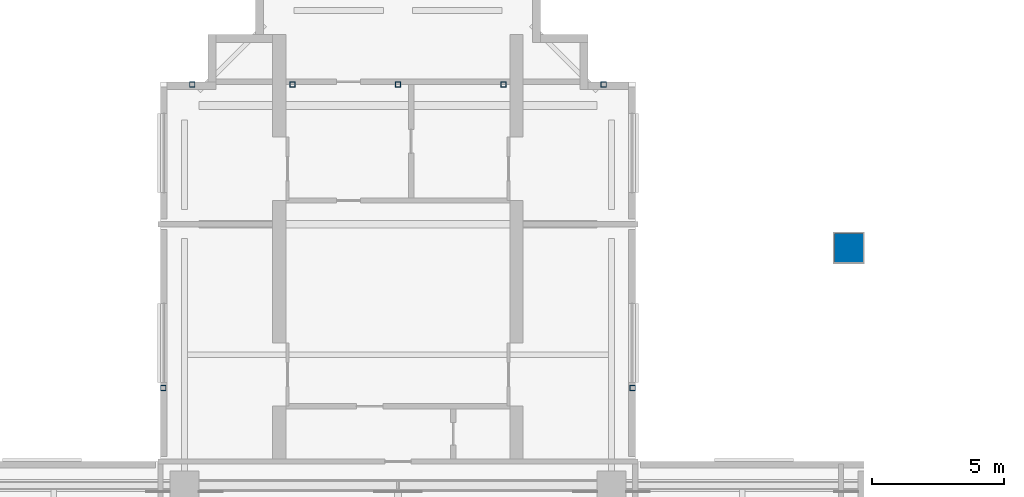
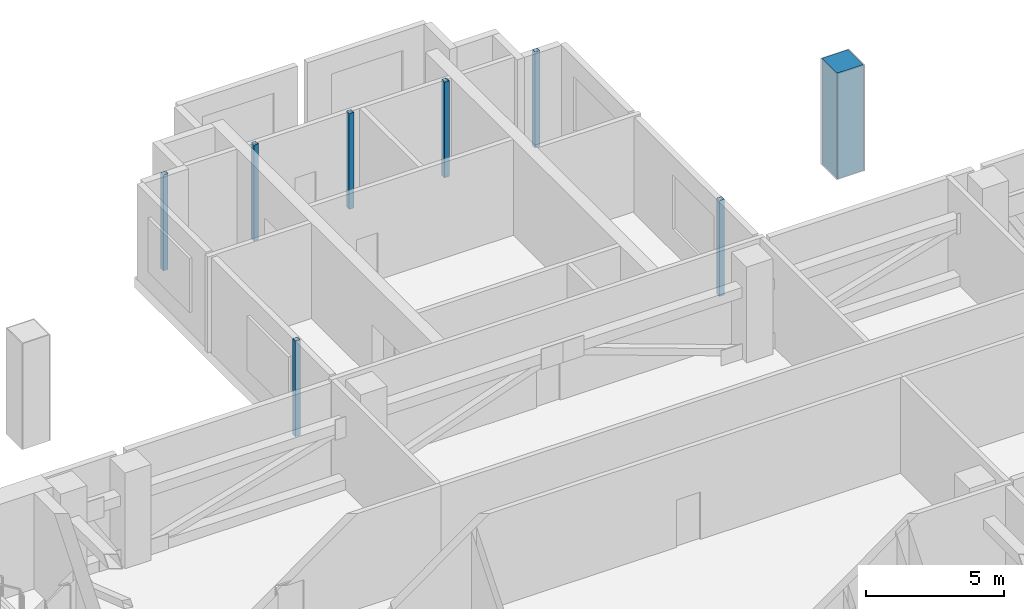
# One storey, part 2 of 11: 8 columns.
"""IFC4 building model written with IfcOpenShell, lengths in metres."""

from ifc_helpers import new_model, si_unit, direction, frame, origin, origin_2d, place, context, subcontext, project, spatial, rectangle, hollow_rectangle, extrude, material, material_profile, profile_set, type_object, element, save


model = new_model("IFC4")

# Units and contexts
model_context = context("Model", 3, precision=1e-05, world=origin(), true_north=direction((0.0, 1.0)))
body_context = subcontext(model_context, "Body", "Model", "MODEL_VIEW")
ifc_project = project(units=[si_unit("LENGTHUNIT", "METRE"), si_unit("AREAUNIT", "SQUARE_METRE"), si_unit("VOLUMEUNIT", "CUBIC_METRE"), si_unit("PLANEANGLEUNIT", "RADIAN"), si_unit("MASSUNIT", "GRAM", prefix="KILO")], contexts=[model_context])

# Site, building, storey
site_placement = place(None, origin())
site = spatial("IfcSite", under=ifc_project, at=site_placement, CompositionType="ELEMENT")
building_placement = place(site_placement, origin())
building = spatial("IfcBuilding", under=site, at=building_placement, Name="Perihelion Cross Residences", CompositionType="ELEMENT")
storey_placement = place(building_placement, frame((0.0, 0.0, 162.10009765625)))
storey = spatial("IfcBuildingStorey", under=building, at=storey_placement, Name="L39", CompositionType="ELEMENT", Elevation=162.10009765625)

# Columns
ifc_material_1 = material(Name="Steel S355", Category="steel")
ifc_material_profile_1 = material_profile(ifc_material_1, hollow_rectangle(XDim=0.202880859375, YDim=0.202880859375, WallThickness=0.009521484375, at=origin_2d()), Name="HSS203.2x203.2x9.5")
ifc_profile_set_1 = profile_set([ifc_material_profile_1], Name="Steel S355")
column_type_1 = type_object("IfcColumnType", Name="Canopy post HSS203.2x203.2x9.5", PredefinedType="COLUMN", material=ifc_profile_set_1)
for number, where, z_axis, x_axis, name in (
    (1, (-7.800048828125, 23.300048828125, 0.0), (0.0, 0.0, 1.0), (1.0, 0.0, 0.0), "Canopy SC5 L39 post foot 1"),
    (2, (-4.0, 23.300048828125, 0.0), (0.0, 0.0, 1.0), (1.0, 0.0, 0.0), "Canopy SC5 L39 post foot 2"),
    (3, (0.0, 23.300048828125, 0.0), (0.0, 0.0, 1.0), (1.0, 0.0, 0.0), "Canopy SC5 L39 post foot 3"),
    (4, (4.0, 23.300048828125, 0.0), (0.0, 0.0, 1.0), (1.0, 0.0, 0.0), "Canopy SC5 L39 post foot 4"),
    (5, (7.800048828125, 23.300048828125, 0.0), (0.0, 0.0, 1.0), (1.0, 0.0, 0.0), "Canopy SC5 L39 post foot 5"),
    (6, (-8.89990234375, 11.7890625, 0.0), (0.0, 0.0, 1.0), (1.0, 0.0, 0.0), "Canopy SC5 L39 ridge foot 1"),
    (7, (8.89990234375, 11.7890625, 0.0), (0.0, 0.0, 1.0), (1.0, 0.0, 0.0), "Canopy SC5 L39 ridge foot 2"),
):
    element("IfcColumn", number, at=place(storey_placement, frame(where, z_axis=z_axis, x_axis=x_axis)), inside=storey, type_object=column_type_1, Name=name, PredefinedType="COLUMN", context=body_context, shape_type="SweptSolid", body=[
        extrude(hollow_rectangle(XDim=0.202880859375, YDim=0.202880859375, WallThickness=0.009521484375, at=origin_2d()), origin(), (0.0, 0.0, 1.0), 4.25),
    ])
ifc_material_2 = material(Name="Concrete C60/75", Category="concrete")
ifc_material_profile_2 = material_profile(ifc_material_2, rectangle(XDim=1.10009765625, YDim=1.10009765625, at=origin_2d()), Name="RC 1100x1100")
ifc_profile_set_2 = profile_set([ifc_material_profile_2], Name="Concrete C60/75")
column_type_2 = type_object("IfcColumnType", Name="Reinforced concrete column 1100x1100 C60/75", PredefinedType="COLUMN", material=ifc_profile_set_2)
column_placement = place(storey_placement, frame((17.10009765625, 17.10009765625, -0.4501953125), z_axis=(0.0, 0.0, 1.0), x_axis=(1.0, 0.0, 0.0)))
element("IfcColumn", 8, at=column_placement, inside=storey, type_object=column_type_2, Name="Column C009 L39 no. 1", PredefinedType="COLUMN", context=body_context, shape_type="SweptSolid", body=[
    extrude(rectangle(XDim=1.10009765625, YDim=1.10009765625, at=origin_2d()), origin(), (0.0, 0.0, 1.0), 4.7001953125),
])

save(model, "model.ifc")
